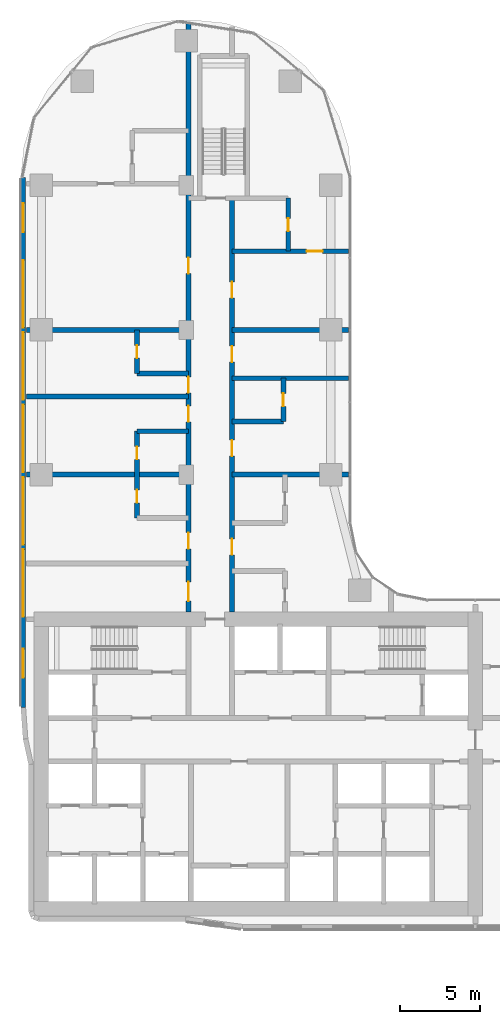
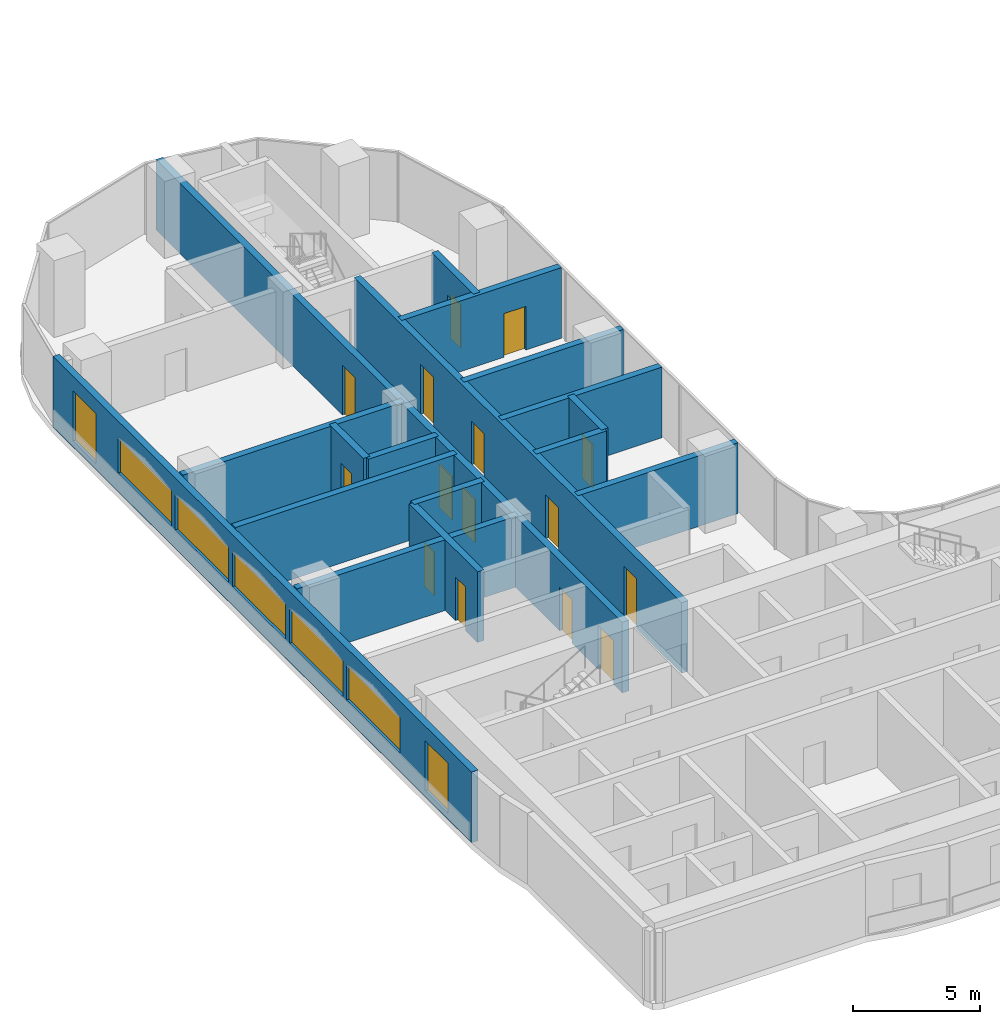
# One storey, part 22 of 36: 17 walls, 15 doors, 7 windows, 22 openings.
"""IFC4 building model written with IfcOpenShell, lengths in metres."""

import ifcopenshell
import ifcopenshell.guid

model = None  # the IFC model being written
_history = None  # IfcOwnerHistory: only IFC2X3 demands one
_inside = {}  # id of a spatial element -> (the spatial element, [elements in it])
_under = {}  # id of a project, library or spatial element -> (it, [spatial elements below it])
_declared = {}  # id of a project -> (the project, [libraries it declares])
_typed = {}  # id of a type object -> (the type object, [elements of that type])
_made_of = {}  # id of a material, layer set ... -> (it, [elements and type objects made of it])


def new_model(schema):
    """Start an empty IFC model of exactly this schema.

    Asked for "IFC4X3", IfcOpenShell would pick the latest addendum, in which some entities
    have other attributes; the version numbers below select the first issue.
    IFC2X3 requires an IfcOwnerHistory on every rooted entity: one is made here for all.
    """
    global model, _history
    if schema == "IFC4X3":
        model = ifcopenshell.file(schema_version=(4, 3, 0, 0))
    else:
        model = ifcopenshell.file(schema=schema)
    _inside.clear()
    _under.clear()
    _declared.clear()
    _typed.clear()
    _made_of.clear()
    _history = None
    if model.schema == "IFC2X3":
        org = make("IfcOrganization", Name="unknown")
        user = make(
            "IfcPersonAndOrganization",
            ThePerson=make("IfcPerson", FamilyName="unknown"),
            TheOrganization=org,
        )
        app = make(
            "IfcApplication",
            ApplicationDeveloper=org,
            Version="unknown",
            ApplicationFullName="unknown",
            ApplicationIdentifier="unknown",
        )
        _history = make(
            "IfcOwnerHistory",
            OwningUser=user,
            OwningApplication=app,
            ChangeAction="ADDED",
            CreationDate=0,
        )
    return model


def make(cls, **values):
    """One entity of the class cls with the attributes given. An attribute that is None is left unset."""
    return model.create_entity(
        cls, **{name: value for name, value in values.items() if value is not None}
    )


def rooted(cls, **values):
    """An entity with a GlobalId (a new one), such as an element, a storey or a relation."""
    return make(cls, GlobalId=ifcopenshell.guid.new(), OwnerHistory=_history, **values)


def si_unit(unit_type, name, prefix=None):
    """IfcSIUnit, for example si_unit("LENGTHUNIT", "METRE", prefix="MILLI")."""
    return make("IfcSIUnit", UnitType=unit_type, Prefix=prefix, Name=name)


def assignment(units):
    """IfcUnitAssignment: the units of a project."""
    return None if units is None else make("IfcUnitAssignment", Units=units)


def point(xyz):
    """IfcCartesianPoint."""
    return None if xyz is None else make("IfcCartesianPoint", Coordinates=xyz)


def direction(xyz):
    """IfcDirection."""
    return None if xyz is None else make("IfcDirection", DirectionRatios=xyz)


def frame(location, z_axis=None, x_axis=None):
    """IfcAxis2Placement3D, a coordinate frame: its origin and axes. An axis left out is left unset."""
    return make(
        "IfcAxis2Placement3D",
        Location=point(location),
        Axis=direction(z_axis),
        RefDirection=direction(x_axis),
    )


def frame_2d(location, x_axis=None):
    """IfcAxis2Placement2D, a coordinate frame in the plane: its origin and x axis."""
    return make(
        "IfcAxis2Placement2D", Location=point(location), RefDirection=direction(x_axis)
    )


def origin():
    """The frame at (0, 0, 0) with its axes left unset."""
    return frame((0.0, 0.0, 0.0))


def place(relative_to, where):
    """IfcLocalPlacement: puts the frame where relative to a parent placement (None: the world)."""
    return make(
        "IfcLocalPlacement", PlacementRelTo=relative_to, RelativePlacement=where
    )


def context(
    kind, dimensions, precision=None, world=None, true_north=None, identifier=None
):
    """IfcGeometricRepresentationContext, for example the 3D "Model" context."""
    return make(
        "IfcGeometricRepresentationContext",
        ContextIdentifier=identifier,
        ContextType=kind,
        CoordinateSpaceDimension=dimensions,
        Precision=precision,
        WorldCoordinateSystem=world,
        TrueNorth=true_north,
    )


def subcontext(parent, identifier, kind, view, scale=None):
    """IfcGeometricRepresentationSubContext, for example "Body" below "Model"."""
    return make(
        "IfcGeometricRepresentationSubContext",
        ContextIdentifier=identifier,
        ContextType=kind,
        ParentContext=parent,
        TargetScale=scale,
        TargetView=view,
    )


def project(units=None, contexts=None):
    """IfcProject with its units and contexts."""
    return rooted(
        "IfcProject",
        Name="project",
        RepresentationContexts=contexts,
        UnitsInContext=assignment(units),
    )


def spatial(cls, under=None, at=None, **own):
    """A site, building, storey or space (cls), placed at a placement, below another one or the project."""
    s = rooted(cls, ObjectPlacement=at, **own)
    if under is not None:
        _under.setdefault(under.id(), (under, []))[1].append(s)
    return s


def profile(cls, at=None, kind="AREA", **sizes):
    """A parametric profile (cls). Its sizes go by their IFC names, for example OverallWidth=200.0."""
    return make(cls, ProfileType=kind, Position=at, **sizes)


def rectangle(**sizes):
    """IfcRectangleProfileDef."""
    return profile("IfcRectangleProfileDef", **sizes)


def extrude(swept, where, along, depth):
    """IfcExtrudedAreaSolid: the profile swept, set in the frame where, extruded along a direction by depth."""
    return make(
        "IfcExtrudedAreaSolid",
        SweptArea=swept,
        Position=where,
        ExtrudedDirection=direction(along),
        Depth=depth,
    )


def shape(context_of_items, identifier, shape_type, items):
    """IfcShapeRepresentation: the items that make up one representation, for example the "Body"."""
    return make(
        "IfcShapeRepresentation",
        ContextOfItems=context_of_items,
        RepresentationIdentifier=identifier,
        RepresentationType=shape_type,
        Items=items,
    )


def material(Name=None, Category=None):
    """IfcMaterial."""
    return make("IfcMaterial", Name=Name, Category=Category)


def layer(
    of_material, thickness, ventilated=None, Name=None, Category=None, Priority=None
):
    """IfcMaterialLayer: one layer of a wall or slab, of a material (None: an air gap)."""
    return make(
        "IfcMaterialLayer",
        Material=of_material,
        LayerThickness=thickness,
        IsVentilated=ventilated,
        Name=Name,
        Category=Category,
        Priority=Priority,
    )


def layer_set(layers, Name=None):
    """IfcMaterialLayerSet."""
    return make("IfcMaterialLayerSet", MaterialLayers=layers, LayerSetName=Name)


def made_of(thing, what):
    """Note that an element or type object is made of a material, layer set ...; save() writes the relation."""
    if what is not None:
        _made_of.setdefault(what.id(), (what, []))[1].append(thing)
    return thing


def type_object(cls, material=None, **own):
    """A type object (cls), such as IfcWallType, which elements share."""
    return made_of(rooted(cls, **own), material)


def element(
    cls,
    number,
    at=None,
    inside=None,
    cuts=None,
    type_object=None,
    material=None,
    context=None,
    identifier="Body",
    shape_type=None,
    held_by="IfcProductDefinitionShape",
    body=None,
    shapes=None,
    **own,
):
    """One element of the class cls, such as IfcWall. Its Tag is "e" and its number.

    at: its placement. inside: the storey or other place that contains it. cuts: it is an
    opening in that element (IfcRelVoidsElement). A single representation is given by context,
    identifier, shape_type and body (its items); several are given by shapes. held_by: the class
    of the entity that holds the representations. save() writes the other relations.
    """
    e = rooted(cls, Tag="e%d" % number, ObjectPlacement=at, **own)
    if body is not None:
        shapes = [shape(context, identifier, shape_type, body)]
    if shapes is not None:
        e.Representation = make(held_by, Representations=shapes)
    if inside is not None:
        _inside.setdefault(inside.id(), (inside, []))[1].append(e)
    if cuts is not None:
        rooted(
            "IfcRelVoidsElement", RelatingBuildingElement=cuts, RelatedOpeningElement=e
        )
    if type_object is not None:
        _typed.setdefault(type_object.id(), (type_object, []))[1].append(e)
    return made_of(e, material)


def fill(opening, filler):
    """IfcRelFillsElement: the door or window that sits in an opening."""
    return rooted(
        "IfcRelFillsElement",
        RelatingOpeningElement=opening,
        RelatedBuildingElement=filler,
    )


def aggregate(whole, parts):
    """IfcRelAggregates: a whole, such as a stair, and the parts it consists of."""
    return rooted("IfcRelAggregates", RelatingObject=whole, RelatedObjects=parts)


def save(model, path):
    """Write the relations noted so far, then the file.

    IfcRelAggregates (storeys below a building ...), IfcRelContainedInSpatialStructure (elements
    in a storey), IfcRelDefinesByType, IfcRelAssociatesMaterial and IfcRelDeclares: one each for
    every whole, place, type object, material and project.
    """
    for whole, parts in _under.values():
        aggregate(whole, parts)
    for where, things in _inside.values():
        rooted(
            "IfcRelContainedInSpatialStructure",
            RelatedElements=things,
            RelatingStructure=where,
        )
    for kind, things in _typed.values():
        rooted("IfcRelDefinesByType", RelatedObjects=things, RelatingType=kind)
    for what, things in _made_of.values():
        rooted("IfcRelAssociatesMaterial", RelatedObjects=things, RelatingMaterial=what)
    for by, libraries in _declared.values():
        rooted("IfcRelDeclares", RelatingContext=by, RelatedDefinitions=libraries)
    model.write(path)


model = new_model("IFC4")

# Units and contexts
model_context = context("Model", 3, precision=1e-05, world=origin(), true_north=direction((0.0, 1.0)))
body_context = subcontext(model_context, "Body", "Model", "MODEL_VIEW")
ifc_project = project(units=[si_unit("LENGTHUNIT", "METRE"), si_unit("AREAUNIT", "SQUARE_METRE"), si_unit("VOLUMEUNIT", "CUBIC_METRE"), si_unit("PLANEANGLEUNIT", "RADIAN"), si_unit("MASSUNIT", "GRAM", prefix="KILO")], contexts=[model_context])

# Site, building, storey
site_placement = place(None, origin())
site = spatial("IfcSite", under=ifc_project, at=site_placement, CompositionType="ELEMENT")
building_placement = place(site_placement, origin())
building = spatial("IfcBuilding", under=site, at=building_placement, Name="Ogive Portal Towers", CompositionType="ELEMENT")
storey_placement = place(building_placement, frame((0.0, 0.0, 48.300048828125)))
storey = spatial("IfcBuildingStorey", under=building, at=storey_placement, Name="L10", CompositionType="ELEMENT", Elevation=48.300048828125)

# Wall, openings, windows
ifc_material_1 = material(Name="Limestone cladding on lightweight block wall", Category="masonry")
ifc_layer_1 = layer(ifc_material_1, 0.300048828125)
ifc_layer_set_1 = layer_set([ifc_layer_1], Name="EXTERNAL WALL 300 STONE")
wall_type_1 = type_object("IfcWallType", Name="EXTERNAL WALL 300 STONE", PredefinedType="SOLIDWALL", material=ifc_layer_set_1)
wall_1_placement = place(storey_placement, frame((30.364990234375, 66.9921875, 0.0), z_axis=(0.0, 0.0, 1.0), x_axis=(0.0, -1.0, 0.0)))
wall_1 = element("IfcWall", 1, at=wall_1_placement, inside=storey, type_object=wall_type_1, Name="A:L10:f23:r0:wall", PredefinedType="SOLIDWALL", context=body_context, shape_type="SweptSolid", body=[
    extrude(rectangle(XDim=32.9814453125, YDim=0.300048828125, at=frame_2d((16.49072265625, 0.0))), origin(), (0.0, 0.0, 1.0), 3.39990234375),
])
opening_1_placement = place(wall_1_placement, frame((1.595947265625, 0.0, 0.300048828125)))
opening_1 = element("IfcOpeningElement", 2, at=opening_1_placement, cuts=wall_1, Name="Opening WN10", PredefinedType="OPENING", context=body_context, shape_type="SweptSolid", body=[
    extrude(rectangle(XDim=1.800048828125, YDim=2.39990234375, at=frame_2d((0.89990234375, 1.199951171875))), frame((0.0, 0.16015625, 0.0), z_axis=(0.0, -1.0, 0.0), x_axis=(1.0, 0.0, 0.0)), (0.0, 0.0, 1.0), 0.320068359375),
])
opening_2_placement = place(wall_1_placement, frame((5.14208984375, 0.0, 0.89990234375)))
opening_2 = element("IfcOpeningElement", 3, at=opening_2_placement, cuts=wall_1, Name="Opening WN13", PredefinedType="OPENING", context=body_context, shape_type="SweptSolid", body=[
    extrude(rectangle(XDim=4.199951171875, YDim=1.699951171875, at=frame_2d((2.10009765625, 0.85009765625))), frame((0.0, 0.16015625, 0.0), z_axis=(0.0, -1.0, 0.0), x_axis=(1.0, 0.0, 0.0)), (0.0, 0.0, 1.0), 0.320068359375),
])
opening_3_placement = place(wall_1_placement, frame((9.64208984375, 0.0, 0.89990234375)))
opening_3 = element("IfcOpeningElement", 4, at=opening_3_placement, cuts=wall_1, Name="Opening WN13", PredefinedType="OPENING", context=body_context, shape_type="SweptSolid", body=[
    extrude(rectangle(XDim=4.199951171875, YDim=1.699951171875, at=frame_2d((2.10009765625, 0.85009765625))), frame((0.0, 0.16015625, 0.0), z_axis=(0.0, -1.0, 0.0), x_axis=(1.0, 0.0, 0.0)), (0.0, 0.0, 1.0), 0.320068359375),
])
opening_4_placement = place(wall_1_placement, frame((14.14208984375, 0.0, 0.89990234375)))
opening_4 = element("IfcOpeningElement", 5, at=opening_4_placement, cuts=wall_1, Name="Opening WN13", PredefinedType="OPENING", context=body_context, shape_type="SweptSolid", body=[
    extrude(rectangle(XDim=4.199951171875, YDim=1.699951171875, at=frame_2d((2.10009765625, 0.85009765625))), frame((0.0, 0.16015625, 0.0), z_axis=(0.0, -1.0, 0.0), x_axis=(1.0, 0.0, 0.0)), (0.0, 0.0, 1.0), 0.320068359375),
])
opening_5_placement = place(wall_1_placement, frame((18.64208984375, 0.0, 0.89990234375)))
opening_5 = element("IfcOpeningElement", 6, at=opening_5_placement, cuts=wall_1, Name="Opening WN13", PredefinedType="OPENING", context=body_context, shape_type="SweptSolid", body=[
    extrude(rectangle(XDim=4.199951171875, YDim=1.699951171875, at=frame_2d((2.10009765625, 0.85009765625))), frame((0.0, 0.16015625, 0.0), z_axis=(0.0, -1.0, 0.0), x_axis=(1.0, 0.0, 0.0)), (0.0, 0.0, 1.0), 0.320068359375),
])
opening_6_placement = place(wall_1_placement, frame((23.14208984375, 0.0, 0.89990234375)))
opening_6 = element("IfcOpeningElement", 7, at=opening_6_placement, cuts=wall_1, Name="Opening WN13", PredefinedType="OPENING", context=body_context, shape_type="SweptSolid", body=[
    extrude(rectangle(XDim=4.199951171875, YDim=1.699951171875, at=frame_2d((2.10009765625, 0.85009765625))), frame((0.0, 0.16015625, 0.0), z_axis=(0.0, -1.0, 0.0), x_axis=(1.0, 0.0, 0.0)), (0.0, 0.0, 1.0), 0.320068359375),
])
opening_7_placement = place(wall_1_placement, frame((29.336669921875, 0.0, 0.300048828125)))
opening_7 = element("IfcOpeningElement", 8, at=opening_7_placement, cuts=wall_1, Name="Opening WN10", PredefinedType="OPENING", context=body_context, shape_type="SweptSolid", body=[
    extrude(rectangle(XDim=1.800048828125, YDim=2.39990234375, at=frame_2d((0.89990234375, 1.199951171875))), frame((0.0, 0.16015625, 0.0), z_axis=(0.0, -1.0, 0.0), x_axis=(1.0, 0.0, 0.0)), (0.0, 0.0, 1.0), 0.320068359375),
])
ifc_material_2 = material(Name="Glass, clear low-iron insulated glazing", Category="glass")
window_type_1 = type_object("IfcWindowType", Name="WINDOW RIBBON LANCET 4200x1700", PartitioningType="TRIPLE_PANEL_VERTICAL", PredefinedType="WINDOW", material=ifc_material_2)
window_1_placement = place(opening_2_placement, origin())
window_1 = element("IfcWindow", 9, at=window_1_placement, inside=storey, type_object=window_type_1, Name="A:L10:f23:r0:w1", OverallHeight=1.699951171875, OverallWidth=4.199951171875, PartitioningType="SINGLE_PANEL", PredefinedType="WINDOW", context=body_context, shape_type="SweptSolid", body=[
    extrude(rectangle(XDim=4.199951171875, YDim=1.699951171875, at=frame_2d((2.10009765625, 0.85009765625))), frame((0.0, 0.030029296875, 0.0), z_axis=(0.0, -1.0, 0.0), x_axis=(1.0, 0.0, 0.0)), (0.0, 0.0, 1.0), 0.06005859375),
])
fill(opening_2, window_1)
window_2_placement = place(opening_3_placement, origin())
window_2 = element("IfcWindow", 10, at=window_2_placement, inside=storey, type_object=window_type_1, Name="A:L10:f23:r0:w2", OverallHeight=1.699951171875, OverallWidth=4.199951171875, PartitioningType="SINGLE_PANEL", PredefinedType="WINDOW", context=body_context, shape_type="SweptSolid", body=[
    extrude(rectangle(XDim=4.199951171875, YDim=1.699951171875, at=frame_2d((2.10009765625, 0.85009765625))), frame((0.0, 0.030029296875, 0.0), z_axis=(0.0, -1.0, 0.0), x_axis=(1.0, 0.0, 0.0)), (0.0, 0.0, 1.0), 0.06005859375),
])
fill(opening_3, window_2)
window_3_placement = place(opening_4_placement, origin())
window_3 = element("IfcWindow", 11, at=window_3_placement, inside=storey, type_object=window_type_1, Name="A:L10:f23:r0:w3", OverallHeight=1.699951171875, OverallWidth=4.199951171875, PartitioningType="SINGLE_PANEL", PredefinedType="WINDOW", context=body_context, shape_type="SweptSolid", body=[
    extrude(rectangle(XDim=4.199951171875, YDim=1.699951171875, at=frame_2d((2.10009765625, 0.85009765625))), frame((0.0, 0.030029296875, 0.0), z_axis=(0.0, -1.0, 0.0), x_axis=(1.0, 0.0, 0.0)), (0.0, 0.0, 1.0), 0.06005859375),
])
fill(opening_4, window_3)
window_4_placement = place(opening_5_placement, origin())
window_4 = element("IfcWindow", 12, at=window_4_placement, inside=storey, type_object=window_type_1, Name="A:L10:f23:r0:w4", OverallHeight=1.699951171875, OverallWidth=4.199951171875, PartitioningType="SINGLE_PANEL", PredefinedType="WINDOW", context=body_context, shape_type="SweptSolid", body=[
    extrude(rectangle(XDim=4.199951171875, YDim=1.699951171875, at=frame_2d((2.10009765625, 0.85009765625))), frame((0.0, 0.030029296875, 0.0), z_axis=(0.0, -1.0, 0.0), x_axis=(1.0, 0.0, 0.0)), (0.0, 0.0, 1.0), 0.06005859375),
])
fill(opening_5, window_4)
window_5_placement = place(opening_6_placement, origin())
window_5 = element("IfcWindow", 13, at=window_5_placement, inside=storey, type_object=window_type_1, Name="A:L10:f23:r0:w5", OverallHeight=1.699951171875, OverallWidth=4.199951171875, PartitioningType="SINGLE_PANEL", PredefinedType="WINDOW", context=body_context, shape_type="SweptSolid", body=[
    extrude(rectangle(XDim=4.199951171875, YDim=1.699951171875, at=frame_2d((2.10009765625, 0.85009765625))), frame((0.0, 0.030029296875, 0.0), z_axis=(0.0, -1.0, 0.0), x_axis=(1.0, 0.0, 0.0)), (0.0, 0.0, 1.0), 0.06005859375),
])
fill(opening_6, window_5)
window_type_2 = type_object("IfcWindowType", Name="WINDOW SUITE CORNER 1800x2400", PartitioningType="DOUBLE_PANEL_VERTICAL", PredefinedType="WINDOW", material=ifc_material_2)
window_6_placement = place(opening_1_placement, origin())
window_6 = element("IfcWindow", 14, at=window_6_placement, inside=storey, type_object=window_type_2, Name="A:L10:f23:r0:w0", OverallHeight=2.39990234375, OverallWidth=1.800048828125, PartitioningType="SINGLE_PANEL", PredefinedType="WINDOW", context=body_context, shape_type="SweptSolid", body=[
    extrude(rectangle(XDim=1.800048828125, YDim=2.39990234375, at=frame_2d((0.89990234375, 1.199951171875))), frame((0.0, 0.030029296875, 0.0), z_axis=(0.0, -1.0, 0.0), x_axis=(1.0, 0.0, 0.0)), (0.0, 0.0, 1.0), 0.06005859375),
])
fill(opening_1, window_6)
window_7_placement = place(opening_7_placement, origin())
window_7 = element("IfcWindow", 15, at=window_7_placement, inside=storey, type_object=window_type_2, Name="A:L10:f23:r0:w6", OverallHeight=2.39990234375, OverallWidth=1.800048828125, PartitioningType="SINGLE_PANEL", PredefinedType="WINDOW", context=body_context, shape_type="SweptSolid", body=[
    extrude(rectangle(XDim=1.800048828125, YDim=2.39990234375, at=frame_2d((0.89990234375, 1.199951171875))), frame((0.0, 0.030029296875, 0.0), z_axis=(0.0, -1.0, 0.0), x_axis=(1.0, 0.0, 0.0)), (0.0, 0.0, 1.0), 0.06005859375),
])
fill(opening_7, window_7)

# Walls
ifc_material_3 = material(Name="Gypsum board partition on steel studs", Category="steel")
ifc_layer_2 = layer(ifc_material_3, 0.300048828125)
ifc_layer_set_2 = layer_set([ifc_layer_2], Name="WT-PART-300-EI 60")
wall_type_2 = type_object("IfcWallType", Name="WT-PART-300-EI 60", PredefinedType="PARTITIONING", material=ifc_layer_set_2)
wall_2_placement = place(storey_placement, frame((30.56494140625, 48.5, 0.0), z_axis=(0.0, 0.0, 1.0), x_axis=(1.0, 0.0, 0.0)))
element("IfcWall", 16, at=wall_2_placement, inside=storey, type_object=wall_type_2, Name="Wall L10:w019", PredefinedType="PARTITIONING", context=body_context, shape_type="SweptSolid", body=[
    extrude(rectangle(XDim=10.0849609375, YDim=0.300048828125, at=frame_2d((5.04248046875, 0.0))), origin(), (0.0, 0.0, 1.0), 3.39990234375),
])
wall_3_placement = place(storey_placement, frame((43.35009765625, 48.5, 0.0), z_axis=(0.0, 0.0, 1.0), x_axis=(1.0, 0.0, 0.0)))
element("IfcWall", 17, at=wall_3_placement, inside=storey, type_object=wall_type_2, Name="Wall L10:w020", PredefinedType="PARTITIONING", context=body_context, shape_type="SweptSolid", body=[
    extrude(rectangle(XDim=7.264892578125, YDim=0.300048828125, at=frame_2d((3.63232421875, 0.0))), origin(), (0.0, 0.0, 1.0), 3.39990234375),
])
for number, where, z_axis, x_axis, name in (
    (18, (37.449951171875, 51.199951171875, 0.0), (0.0, 0.0, 1.0), (1.0, 0.0, 0.0), "Wall L10:w021"),
    (19, (43.35009765625, 51.800048828125, 0.0), (0.0, 0.0, 1.0), (1.0, 0.0, 0.0), "Wall L10:w022"),
):
    element("IfcWall", number, at=place(storey_placement, frame(where, z_axis=z_axis, x_axis=x_axis)), inside=storey, type_object=wall_type_2, Name=name, PredefinedType="PARTITIONING", context=body_context, shape_type="SweptSolid", body=[
        extrude(rectangle(XDim=3.199951171875, YDim=0.300048828125, at=frame_2d((1.60009765625, 0.0))), origin(), (0.0, 0.0, 1.0), 3.39990234375),
    ])
wall_4_placement = place(storey_placement, frame((30.56494140625, 53.360107421875, 0.0), z_axis=(0.0, 0.0, 1.0), x_axis=(1.0, 0.0, 0.0)))
element("IfcWall", 20, at=wall_4_placement, inside=storey, type_object=wall_type_2, Name="Wall L10:w023", PredefinedType="PARTITIONING", context=body_context, shape_type="SweptSolid", body=[
    extrude(rectangle(XDim=10.0849609375, YDim=0.300048828125, at=frame_2d((5.04248046875, 0.0))), origin(), (0.0, 0.0, 1.0), 3.39990234375),
])
wall_5_placement = place(storey_placement, frame((43.35009765625, 54.5, 0.0), z_axis=(0.0, 0.0, 1.0), x_axis=(1.0, 0.0, 0.0)))
element("IfcWall", 21, at=wall_5_placement, inside=storey, type_object=wall_type_2, Name="Wall L10:w024", PredefinedType="PARTITIONING", context=body_context, shape_type="SweptSolid", body=[
    extrude(rectangle(XDim=7.264892578125, YDim=0.300048828125, at=frame_2d((3.63232421875, 0.0))), origin(), (0.0, 0.0, 1.0), 3.39990234375),
])
wall_6_placement = place(storey_placement, frame((37.449951171875, 54.800048828125, 0.0), z_axis=(0.0, 0.0, 1.0), x_axis=(1.0, 0.0, 0.0)))
element("IfcWall", 22, at=wall_6_placement, inside=storey, type_object=wall_type_2, Name="Wall L10:w025", PredefinedType="PARTITIONING", context=body_context, shape_type="SweptSolid", body=[
    extrude(rectangle(XDim=3.199951171875, YDim=0.300048828125, at=frame_2d((1.60009765625, 0.0))), origin(), (0.0, 0.0, 1.0), 3.39990234375),
])
wall_7_placement = place(storey_placement, frame((30.56494140625, 57.5, 0.0), z_axis=(0.0, 0.0, 1.0), x_axis=(1.0, 0.0, 0.0)))
element("IfcWall", 23, at=wall_7_placement, inside=storey, type_object=wall_type_2, Name="Wall L10:w026", PredefinedType="PARTITIONING", context=body_context, shape_type="SweptSolid", body=[
    extrude(rectangle(XDim=10.0849609375, YDim=0.300048828125, at=frame_2d((5.04248046875, 0.0))), origin(), (0.0, 0.0, 1.0), 3.39990234375),
])
wall_8_placement = place(storey_placement, frame((43.35009765625, 57.5, 0.0), z_axis=(0.0, 0.0, 1.0), x_axis=(1.0, 0.0, 0.0)))
element("IfcWall", 24, at=wall_8_placement, inside=storey, type_object=wall_type_2, Name="Wall L10:w027", PredefinedType="PARTITIONING", context=body_context, shape_type="SweptSolid", body=[
    extrude(rectangle(XDim=7.264892578125, YDim=0.300048828125, at=frame_2d((3.63232421875, 0.0))), origin(), (0.0, 0.0, 1.0), 3.39990234375),
])

# Wall, opening, door
wall_9_placement = place(storey_placement, frame((43.35009765625, 62.39990234375, 0.0), z_axis=(0.0, 0.0, 1.0), x_axis=(1.0, 0.0, 0.0)))
wall_9 = element("IfcWall", 25, at=wall_9_placement, inside=storey, type_object=wall_type_2, Name="Wall L10:w028", PredefinedType="PARTITIONING", context=body_context, shape_type="SweptSolid", body=[
    extrude(rectangle(XDim=7.264892578125, YDim=0.300048828125, at=frame_2d((3.63232421875, 0.0))), origin(), (0.0, 0.0, 1.0), 3.39990234375),
])
opening_8_placement = place(wall_9_placement, frame((4.64990234375, 0.0, 0.0)))
opening_8 = element("IfcOpeningElement", 26, at=opening_8_placement, cuts=wall_9, Name="Opening D02-059", PredefinedType="OPENING", context=body_context, shape_type="SweptSolid", body=[
    extrude(rectangle(XDim=1.0, YDim=2.10009765625, at=frame_2d((0.5, 1.050048828125))), frame((0.0, 0.16015625, 0.0), z_axis=(0.0, -1.0, 0.0), x_axis=(1.0, 0.0, 0.0)), (0.0, 0.0, 1.0), 0.320068359375),
])
ifc_material_4 = material(Name="Steel fire door", Category="steel")
door_type_1 = type_object("IfcDoorType", Name="DT-ENTRY-1000x2100-FD60S", OperationType="SINGLE_SWING_LEFT", PredefinedType="DOOR", material=ifc_material_4)
door_1_placement = place(opening_8_placement, origin())
door_1 = element("IfcDoor", 27, at=door_1_placement, inside=storey, type_object=door_type_1, Name="Door D02-059", OperationType="SINGLE_SWING_LEFT", OverallHeight=2.10009765625, OverallWidth=1.0, PredefinedType="DOOR", context=body_context, shape_type="SweptSolid", body=[
    extrude(rectangle(XDim=1.0, YDim=2.10009765625, at=frame_2d((0.5, 1.050048828125))), frame((0.0, 0.02490234375, 0.0), z_axis=(0.0, -1.0, 0.0), x_axis=(1.0, 0.0, 0.0)), (0.0, 0.0, 1.0), 0.050048828125),
])
fill(opening_8, door_1)

# Wall, openings, doors
wall_10_placement = place(storey_placement, frame((37.449951171875, 45.800048828125, 0.0), z_axis=(0.0, 0.0, 1.0), x_axis=(0.0, 1.0, 0.0)))
wall_10 = element("IfcWall", 28, at=wall_10_placement, inside=storey, type_object=wall_type_2, Name="Wall L10:w034", PredefinedType="PARTITIONING", context=body_context, shape_type="SweptSolid", body=[
    extrude(rectangle(XDim=5.39990234375, YDim=0.300048828125, at=frame_2d((2.699951171875, 0.0))), origin(), (0.0, 0.0, 1.0), 3.39990234375),
])
opening_9_placement = place(wall_10_placement, frame((0.949951171875, 0.0, 0.0)))
opening_9 = element("IfcOpeningElement", 29, at=opening_9_placement, cuts=wall_10, Name="Opening D02-049", PredefinedType="OPENING", context=body_context, shape_type="SweptSolid", body=[
    extrude(rectangle(XDim=0.800048828125, YDim=2.10009765625, at=frame_2d((0.39990234375, 1.050048828125))), frame((0.0, 0.16015625, 0.0), z_axis=(0.0, -1.0, 0.0), x_axis=(1.0, 0.0, 0.0)), (0.0, 0.0, 1.0), 0.320068359375),
])
opening_10_placement = place(wall_10_placement, frame((3.64990234375, 0.0, 0.0)))
opening_10 = element("IfcOpeningElement", 30, at=opening_10_placement, cuts=wall_10, Name="Opening D02-054", PredefinedType="OPENING", context=body_context, shape_type="SweptSolid", body=[
    extrude(rectangle(XDim=0.800048828125, YDim=2.10009765625, at=frame_2d((0.39990234375, 1.050048828125))), frame((0.0, 0.16015625, 0.0), z_axis=(0.0, -1.0, 0.0), x_axis=(1.0, 0.0, 0.0)), (0.0, 0.0, 1.0), 0.320068359375),
])
door_type_2 = type_object("IfcDoorType", Name="DT-BATH-800x2100-FD60S", OperationType="SINGLE_SWING_LEFT", PredefinedType="DOOR", material=ifc_material_4)
door_2_placement = place(opening_9_placement, origin())
door_2 = element("IfcDoor", 31, at=door_2_placement, inside=storey, type_object=door_type_2, Name="Door D02-049", OperationType="SINGLE_SWING_LEFT", OverallHeight=2.10009765625, OverallWidth=0.800048828125, PredefinedType="DOOR", context=body_context, shape_type="SweptSolid", body=[
    extrude(rectangle(XDim=0.800048828125, YDim=2.10009765625, at=frame_2d((0.39990234375, 1.050048828125))), frame((0.0, 0.02490234375, 0.0), z_axis=(0.0, -1.0, 0.0), x_axis=(1.0, 0.0, 0.0)), (0.0, 0.0, 1.0), 0.050048828125),
])
fill(opening_9, door_2)
door_3_placement = place(opening_10_placement, origin())
door_3 = element("IfcDoor", 32, at=door_3_placement, inside=storey, type_object=door_type_2, Name="Door D02-054", OperationType="SINGLE_SWING_RIGHT", OverallHeight=2.10009765625, OverallWidth=0.800048828125, PredefinedType="DOOR", context=body_context, shape_type="SweptSolid", body=[
    extrude(rectangle(XDim=0.800048828125, YDim=2.10009765625, at=frame_2d((0.39990234375, 1.050048828125))), frame((0.0, 0.02490234375, 0.0), z_axis=(0.0, -1.0, 0.0), x_axis=(1.0, 0.0, 0.0)), (0.0, 0.0, 1.0), 0.050048828125),
])
fill(opening_10, door_3)

# Wall, opening, door
wall_11_placement = place(storey_placement, frame((37.449951171875, 54.800048828125, 0.0), z_axis=(0.0, 0.0, 1.0), x_axis=(0.0, 1.0, 0.0)))
wall_11 = element("IfcWall", 33, at=wall_11_placement, inside=storey, type_object=wall_type_2, Name="Wall L10:w035", PredefinedType="PARTITIONING", context=body_context, shape_type="SweptSolid", body=[
    extrude(rectangle(XDim=2.699951171875, YDim=0.300048828125, at=frame_2d((1.35009765625, 0.0))), origin(), (0.0, 0.0, 1.0), 3.39990234375),
])
opening_11_placement = place(wall_11_placement, frame((0.949951171875, 0.0, 0.0)))
opening_11 = element("IfcOpeningElement", 34, at=opening_11_placement, cuts=wall_11, Name="Opening D02-056", PredefinedType="OPENING", context=body_context, shape_type="SweptSolid", body=[
    extrude(rectangle(XDim=0.800048828125, YDim=2.10009765625, at=frame_2d((0.39990234375, 1.050048828125))), frame((0.0, 0.16015625, 0.0), z_axis=(0.0, -1.0, 0.0), x_axis=(1.0, 0.0, 0.0)), (0.0, 0.0, 1.0), 0.320068359375),
])
door_4_placement = place(opening_11_placement, origin())
door_4 = element("IfcDoor", 35, at=door_4_placement, inside=storey, type_object=door_type_2, Name="Door D02-056", OperationType="SINGLE_SWING_LEFT", OverallHeight=2.10009765625, OverallWidth=0.800048828125, PredefinedType="DOOR", context=body_context, shape_type="SweptSolid", body=[
    extrude(rectangle(XDim=0.800048828125, YDim=2.10009765625, at=frame_2d((0.39990234375, 1.050048828125))), frame((0.0, 0.02490234375, 0.0), z_axis=(0.0, -1.0, 0.0), x_axis=(1.0, 0.0, 0.0)), (0.0, 0.0, 1.0), 0.050048828125),
])
fill(opening_11, door_4)

# Wall, openings, doors
wall_12_placement = place(storey_placement, frame((40.64990234375, 39.949951171875, 0.0), z_axis=(0.0, 0.0, 1.0), x_axis=(0.0, 1.0, 0.0)))
wall_12 = element("IfcWall", 36, at=wall_12_placement, inside=storey, type_object=wall_type_2, Name="Wall L10:w036", PredefinedType="PARTITIONING", context=body_context, shape_type="SweptSolid", body=[
    extrude(rectangle(XDim=36.72509765625, YDim=0.300048828125, at=frame_2d((18.362548828125, 0.0))), origin(), (0.0, 0.0, 1.0), 3.39990234375),
])
opening_12_placement = place(wall_12_placement, frame((0.68505859375, 0.0, 0.0)))
opening_12 = element("IfcOpeningElement", 37, at=opening_12_placement, cuts=wall_12, Name="Opening D02-048", PredefinedType="OPENING", context=body_context, shape_type="SweptSolid", body=[
    extrude(rectangle(XDim=1.199951171875, YDim=2.10009765625, at=frame_2d((0.60009765625, 1.050048828125))), frame((0.0, 0.16015625, 0.0), z_axis=(0.0, -1.0, 0.0), x_axis=(1.0, 0.0, 0.0)), (0.0, 0.0, 1.0), 0.320068359375),
])
opening_13_placement = place(wall_12_placement, frame((3.93505859375, 0.0, 0.0)))
opening_13 = element("IfcOpeningElement", 38, at=opening_13_placement, cuts=wall_12, Name="Opening D02-050", PredefinedType="OPENING", context=body_context, shape_type="SweptSolid", body=[
    extrude(rectangle(XDim=1.0, YDim=2.10009765625, at=frame_2d((0.5, 1.050048828125))), frame((0.0, 0.16015625, 0.0), z_axis=(0.0, -1.0, 0.0), x_axis=(1.0, 0.0, 0.0)), (0.0, 0.0, 1.0), 0.320068359375),
])
opening_14_placement = place(wall_12_placement, frame((11.830078125, 0.0, 0.0)))
opening_14 = element("IfcOpeningElement", 39, at=opening_14_placement, cuts=wall_12, Name="Opening D02-055", PredefinedType="OPENING", context=body_context, shape_type="SweptSolid", body=[
    extrude(rectangle(XDim=1.0, YDim=2.10009765625, at=frame_2d((0.5, 1.050048828125))), frame((0.0, 0.16015625, 0.0), z_axis=(0.0, -1.0, 0.0), x_axis=(1.0, 0.0, 0.0)), (0.0, 0.0, 1.0), 0.320068359375),
])
opening_15_placement = place(wall_12_placement, frame((13.6298828125, 0.0, 0.0)))
opening_15 = element("IfcOpeningElement", 40, at=opening_15_placement, cuts=wall_12, Name="Opening D02-057", PredefinedType="OPENING", context=body_context, shape_type="SweptSolid", body=[
    extrude(rectangle(XDim=1.0, YDim=2.10009765625, at=frame_2d((0.5, 1.050048828125))), frame((0.0, 0.16015625, 0.0), z_axis=(0.0, -1.0, 0.0), x_axis=(1.0, 0.0, 0.0)), (0.0, 0.0, 1.0), 0.320068359375),
])
opening_16_placement = place(wall_12_placement, frame((21.050048828125, 0.0, 0.0)))
opening_16 = element("IfcOpeningElement", 41, at=opening_16_placement, cuts=wall_12, Name="Opening D02-061", PredefinedType="OPENING", context=body_context, shape_type="SweptSolid", body=[
    extrude(rectangle(XDim=1.0, YDim=2.39990234375, at=frame_2d((0.5, 1.199951171875))), frame((0.0, 0.16015625, 0.0), z_axis=(0.0, -1.0, 0.0), x_axis=(1.0, 0.0, 0.0)), (0.0, 0.0, 1.0), 0.320068359375),
])
door_5_placement = place(opening_13_placement, origin())
door_5 = element("IfcDoor", 42, at=door_5_placement, inside=storey, type_object=door_type_1, Name="Door D02-050", OperationType="SINGLE_SWING_RIGHT", OverallHeight=2.10009765625, OverallWidth=1.0, PredefinedType="DOOR", context=body_context, shape_type="SweptSolid", body=[
    extrude(rectangle(XDim=1.0, YDim=2.10009765625, at=frame_2d((0.5, 1.050048828125))), frame((0.0, 0.02490234375, 0.0), z_axis=(0.0, -1.0, 0.0), x_axis=(1.0, 0.0, 0.0)), (0.0, 0.0, 1.0), 0.050048828125),
])
fill(opening_13, door_5)
door_6_placement = place(opening_14_placement, origin())
door_6 = element("IfcDoor", 43, at=door_6_placement, inside=storey, type_object=door_type_1, Name="Door D02-055", OperationType="SINGLE_SWING_LEFT", OverallHeight=2.10009765625, OverallWidth=1.0, PredefinedType="DOOR", context=body_context, shape_type="SweptSolid", body=[
    extrude(rectangle(XDim=1.0, YDim=2.10009765625, at=frame_2d((0.5, 1.050048828125))), frame((0.0, 0.02490234375, 0.0), z_axis=(0.0, -1.0, 0.0), x_axis=(1.0, 0.0, 0.0)), (0.0, 0.0, 1.0), 0.050048828125),
])
fill(opening_14, door_6)
door_7_placement = place(opening_15_placement, origin())
door_7 = element("IfcDoor", 44, at=door_7_placement, inside=storey, type_object=door_type_1, Name="Door D02-057", OperationType="SINGLE_SWING_LEFT", OverallHeight=2.10009765625, OverallWidth=1.0, PredefinedType="DOOR", context=body_context, shape_type="SweptSolid", body=[
    extrude(rectangle(XDim=1.0, YDim=2.10009765625, at=frame_2d((0.5, 1.050048828125))), frame((0.0, 0.02490234375, 0.0), z_axis=(0.0, -1.0, 0.0), x_axis=(1.0, 0.0, 0.0)), (0.0, 0.0, 1.0), 0.050048828125),
])
fill(opening_15, door_7)
door_type_3 = type_object("IfcDoorType", Name="DT-ENTRY-1000x2400-FD60S", OperationType="SINGLE_SWING_LEFT", PredefinedType="DOOR", material=ifc_material_4)
door_8_placement = place(opening_16_placement, origin())
door_8 = element("IfcDoor", 45, at=door_8_placement, inside=storey, type_object=door_type_3, Name="Door D02-061", OperationType="SINGLE_SWING_RIGHT", OverallHeight=2.39990234375, OverallWidth=1.0, PredefinedType="DOOR", context=body_context, shape_type="SweptSolid", body=[
    extrude(rectangle(XDim=1.0, YDim=2.39990234375, at=frame_2d((0.5, 1.199951171875))), frame((0.0, 0.02490234375, 0.0), z_axis=(0.0, -1.0, 0.0), x_axis=(1.0, 0.0, 0.0)), (0.0, 0.0, 1.0), 0.050048828125),
])
fill(opening_16, door_8)
door_type_4 = type_object("IfcDoorType", Name="DT-ENTRY-1200x2100-FD60S", OperationType="SINGLE_SWING_LEFT", PredefinedType="DOOR", material=ifc_material_4)
door_9_placement = place(opening_12_placement, origin())
door_9 = element("IfcDoor", 46, at=door_9_placement, inside=storey, type_object=door_type_4, Name="Door D02-048", OperationType="SINGLE_SWING_LEFT", OverallHeight=2.10009765625, OverallWidth=1.199951171875, PredefinedType="DOOR", context=body_context, shape_type="SweptSolid", body=[
    extrude(rectangle(XDim=1.199951171875, YDim=2.10009765625, at=frame_2d((0.60009765625, 1.050048828125))), frame((0.0, 0.02490234375, 0.0), z_axis=(0.0, -1.0, 0.0), x_axis=(1.0, 0.0, 0.0)), (0.0, 0.0, 1.0), 0.050048828125),
])
fill(opening_12, door_9)

# Wall, opening, door
wall_13_placement = place(storey_placement, frame((46.550048828125, 51.800048828125, 0.0), z_axis=(0.0, 0.0, 1.0), x_axis=(0.0, 1.0, 0.0)))
wall_13 = element("IfcWall", 47, at=wall_13_placement, inside=storey, type_object=wall_type_2, Name="Wall L10:w041", PredefinedType="PARTITIONING", context=body_context, shape_type="SweptSolid", body=[
    extrude(rectangle(XDim=2.699951171875, YDim=0.300048828125, at=frame_2d((1.35009765625, 0.0))), origin(), (0.0, 0.0, 1.0), 3.39990234375),
])
opening_17_placement = place(wall_13_placement, frame((0.949951171875, 0.0, 0.0)))
opening_17 = element("IfcOpeningElement", 48, at=opening_17_placement, cuts=wall_13, Name="Opening D02-051", PredefinedType="OPENING", context=body_context, shape_type="SweptSolid", body=[
    extrude(rectangle(XDim=0.800048828125, YDim=2.10009765625, at=frame_2d((0.39990234375, 1.050048828125))), frame((0.0, 0.16015625, 0.0), z_axis=(0.0, -1.0, 0.0), x_axis=(1.0, 0.0, 0.0)), (0.0, 0.0, 1.0), 0.320068359375),
])
door_10_placement = place(opening_17_placement, origin())
door_10 = element("IfcDoor", 49, at=door_10_placement, inside=storey, type_object=door_type_2, Name="Door D02-051", OperationType="SINGLE_SWING_RIGHT", OverallHeight=2.10009765625, OverallWidth=0.800048828125, PredefinedType="DOOR", context=body_context, shape_type="SweptSolid", body=[
    extrude(rectangle(XDim=0.800048828125, YDim=2.10009765625, at=frame_2d((0.39990234375, 1.050048828125))), frame((0.0, 0.02490234375, 0.0), z_axis=(0.0, -1.0, 0.0), x_axis=(1.0, 0.0, 0.0)), (0.0, 0.0, 1.0), 0.050048828125),
])
fill(opening_17, door_10)

wall_14_placement = place(storey_placement, frame((46.85009765625, 62.39990234375, 0.0), z_axis=(0.0, 0.0, 1.0), x_axis=(0.0, 1.0, 0.0)))
wall_14 = element("IfcWall", 50, at=wall_14_placement, inside=storey, type_object=wall_type_2, Name="Wall L10:w044", PredefinedType="PARTITIONING", context=body_context, shape_type="SweptSolid", body=[
    extrude(rectangle(XDim=3.300048828125, YDim=0.300048828125, at=frame_2d((1.64990234375, 0.0))), origin(), (0.0, 0.0, 1.0), 3.39990234375),
])
opening_18_placement = place(wall_14_placement, frame((1.25, 0.0, 0.0)))
opening_18 = element("IfcOpeningElement", 51, at=opening_18_placement, cuts=wall_14, Name="Opening D02-060", PredefinedType="OPENING", context=body_context, shape_type="SweptSolid", body=[
    extrude(rectangle(XDim=0.800048828125, YDim=2.10009765625, at=frame_2d((0.39990234375, 1.050048828125))), frame((0.0, 0.16015625, 0.0), z_axis=(0.0, -1.0, 0.0), x_axis=(1.0, 0.0, 0.0)), (0.0, 0.0, 1.0), 0.320068359375),
])
door_11_placement = place(opening_18_placement, origin())
door_11 = element("IfcDoor", 52, at=door_11_placement, inside=storey, type_object=door_type_2, Name="Door D02-060", OperationType="SINGLE_SWING_LEFT", OverallHeight=2.10009765625, OverallWidth=0.800048828125, PredefinedType="DOOR", context=body_context, shape_type="SweptSolid", body=[
    extrude(rectangle(XDim=0.800048828125, YDim=2.10009765625, at=frame_2d((0.39990234375, 1.050048828125))), frame((0.0, 0.02490234375, 0.0), z_axis=(0.0, -1.0, 0.0), x_axis=(1.0, 0.0, 0.0)), (0.0, 0.0, 1.0), 0.050048828125),
])
fill(opening_18, door_11)

# Wall, openings, doors
ifc_material_5 = material(Name="Concrete C40/50", Category="concrete")
ifc_layer_3 = layer(ifc_material_5, 0.300048828125)
ifc_layer_set_3 = layer_set([ifc_layer_3], Name="WT-SHAFT-300")
wall_type_3 = type_object("IfcWallType", Name="WT-SHAFT-300", PredefinedType="SOLIDWALL", material=ifc_layer_set_3)
wall_15_placement = place(storey_placement, frame((43.35009765625, 39.949951171875, 0.0), z_axis=(0.0, 0.0, 1.0), x_axis=(0.0, 1.0, 0.0)))
wall_15 = element("IfcWall", 53, at=wall_15_placement, inside=storey, type_object=wall_type_3, Name="Wall L10:w038", PredefinedType="SOLIDWALL", context=body_context, shape_type="SweptSolid", body=[
    extrude(rectangle(XDim=25.800048828125, YDim=0.300048828125, at=frame_2d((12.89990234375, 0.0))), origin(), (0.0, 0.0, 1.0), 3.39990234375),
])
opening_19_placement = place(wall_15_placement, frame((3.550048828125, 0.0, 0.0)))
opening_19 = element("IfcOpeningElement", 54, at=opening_19_placement, cuts=wall_15, Name="Opening D02-047", PredefinedType="OPENING", context=body_context, shape_type="SweptSolid", body=[
    extrude(rectangle(XDim=1.0, YDim=2.39990234375, at=frame_2d((0.5, 1.199951171875))), frame((0.0, 0.16015625, 0.0), z_axis=(0.0, -1.0, 0.0), x_axis=(1.0, 0.0, 0.0)), (0.0, 0.0, 1.0), 0.320068359375),
])
opening_20_placement = place(wall_15_placement, frame((9.699951171875, 0.0, 0.0)))
opening_20 = element("IfcOpeningElement", 55, at=opening_20_placement, cuts=wall_15, Name="Opening D02-052", PredefinedType="OPENING", context=body_context, shape_type="SweptSolid", body=[
    extrude(rectangle(XDim=1.0, YDim=2.10009765625, at=frame_2d((0.5, 1.050048828125))), frame((0.0, 0.16015625, 0.0), z_axis=(0.0, -1.0, 0.0), x_axis=(1.0, 0.0, 0.0)), (0.0, 0.0, 1.0), 0.320068359375),
])
opening_21_placement = place(wall_15_placement, frame((15.550048828125, 0.0, 0.0)))
opening_21 = element("IfcOpeningElement", 56, at=opening_21_placement, cuts=wall_15, Name="Opening D02-053", PredefinedType="OPENING", context=body_context, shape_type="SweptSolid", body=[
    extrude(rectangle(XDim=1.0, YDim=2.10009765625, at=frame_2d((0.5, 1.050048828125))), frame((0.0, 0.16015625, 0.0), z_axis=(0.0, -1.0, 0.0), x_axis=(1.0, 0.0, 0.0)), (0.0, 0.0, 1.0), 0.320068359375),
])
opening_22_placement = place(wall_15_placement, frame((19.550048828125, 0.0, 0.0)))
opening_22 = element("IfcOpeningElement", 57, at=opening_22_placement, cuts=wall_15, Name="Opening D02-058", PredefinedType="OPENING", context=body_context, shape_type="SweptSolid", body=[
    extrude(rectangle(XDim=1.0, YDim=2.39990234375, at=frame_2d((0.5, 1.199951171875))), frame((0.0, 0.16015625, 0.0), z_axis=(0.0, -1.0, 0.0), x_axis=(1.0, 0.0, 0.0)), (0.0, 0.0, 1.0), 0.320068359375),
])
door_type_5 = type_object("IfcDoorType", Name="DT-ENTRY-1000x2100-FD90S", OperationType="SINGLE_SWING_LEFT", PredefinedType="DOOR", material=ifc_material_4)
door_12_placement = place(opening_20_placement, origin())
door_12 = element("IfcDoor", 58, at=door_12_placement, inside=storey, type_object=door_type_5, Name="Door D02-052", OperationType="SINGLE_SWING_LEFT", OverallHeight=2.10009765625, OverallWidth=1.0, PredefinedType="DOOR", context=body_context, shape_type="SweptSolid", body=[
    extrude(rectangle(XDim=1.0, YDim=2.10009765625, at=frame_2d((0.5, 1.050048828125))), frame((0.0, 0.02490234375, 0.0), z_axis=(0.0, -1.0, 0.0), x_axis=(1.0, 0.0, 0.0)), (0.0, 0.0, 1.0), 0.050048828125),
])
fill(opening_20, door_12)
door_13_placement = place(opening_21_placement, origin())
door_13 = element("IfcDoor", 59, at=door_13_placement, inside=storey, type_object=door_type_5, Name="Door D02-053", OperationType="SINGLE_SWING_LEFT", OverallHeight=2.10009765625, OverallWidth=1.0, PredefinedType="DOOR", context=body_context, shape_type="SweptSolid", body=[
    extrude(rectangle(XDim=1.0, YDim=2.10009765625, at=frame_2d((0.5, 1.050048828125))), frame((0.0, 0.02490234375, 0.0), z_axis=(0.0, -1.0, 0.0), x_axis=(1.0, 0.0, 0.0)), (0.0, 0.0, 1.0), 0.050048828125),
])
fill(opening_21, door_13)
door_type_6 = type_object("IfcDoorType", Name="DT-ENTRY-1000x2400-FD90S", OperationType="SINGLE_SWING_LEFT", PredefinedType="DOOR", material=ifc_material_4)
door_14_placement = place(opening_19_placement, origin())
door_14 = element("IfcDoor", 60, at=door_14_placement, inside=storey, type_object=door_type_6, Name="Door D02-047", OperationType="SINGLE_SWING_LEFT", OverallHeight=2.39990234375, OverallWidth=1.0, PredefinedType="DOOR", context=body_context, shape_type="SweptSolid", body=[
    extrude(rectangle(XDim=1.0, YDim=2.39990234375, at=frame_2d((0.5, 1.199951171875))), frame((0.0, 0.02490234375, 0.0), z_axis=(0.0, -1.0, 0.0), x_axis=(1.0, 0.0, 0.0)), (0.0, 0.0, 1.0), 0.050048828125),
])
fill(opening_19, door_14)
door_15_placement = place(opening_22_placement, origin())
door_15 = element("IfcDoor", 61, at=door_15_placement, inside=storey, type_object=door_type_6, Name="Door D02-058", OperationType="SINGLE_SWING_RIGHT", OverallHeight=2.39990234375, OverallWidth=1.0, PredefinedType="DOOR", context=body_context, shape_type="SweptSolid", body=[
    extrude(rectangle(XDim=1.0, YDim=2.39990234375, at=frame_2d((0.5, 1.199951171875))), frame((0.0, 0.02490234375, 0.0), z_axis=(0.0, -1.0, 0.0), x_axis=(1.0, 0.0, 0.0)), (0.0, 0.0, 1.0), 0.050048828125),
])
fill(opening_22, door_15)

save(model, "model.ifc")
